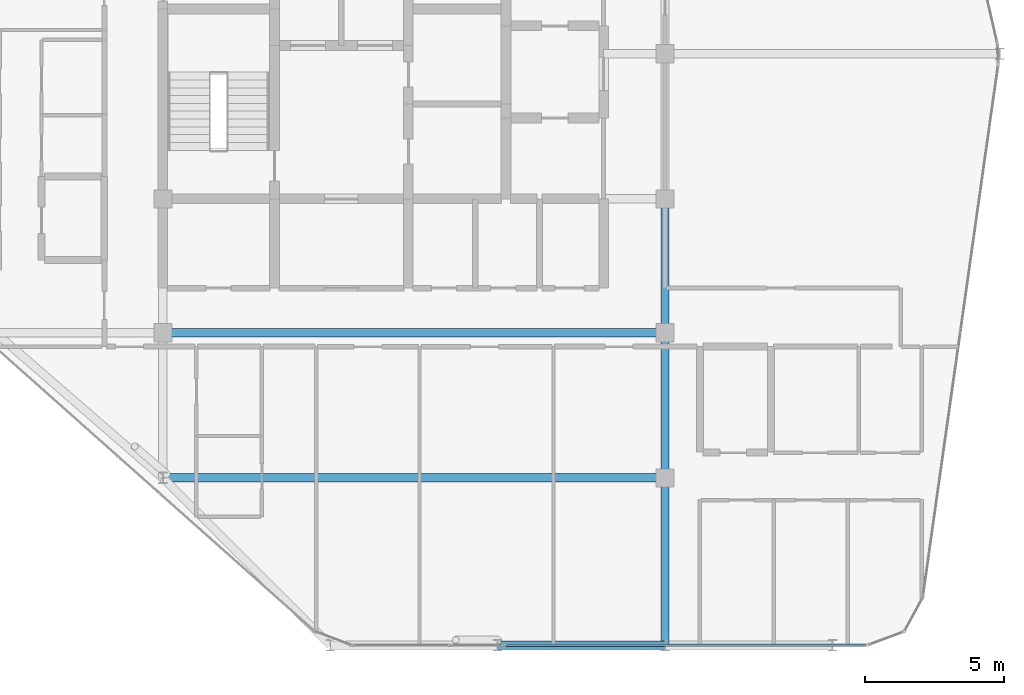
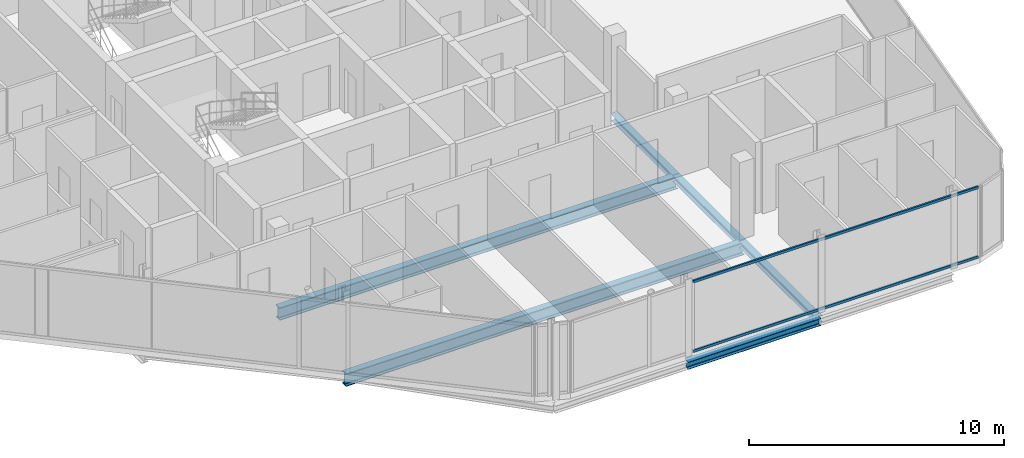
# One storey, part 7 of 27: 6 beams, 2 members, 1 element without a shape of its own.
"""IFC4 building model written with IfcOpenShell, lengths in metres."""

from ifc_helpers import new_model, si_unit, direction, frame, origin, origin_2d, place, context, subcontext, project, spatial, hollow_rectangle, i_section, extrude, material, layer, layer_set, material_profile, profile_set, type_object, element, aggregate, save


model = new_model("IFC4")

# Units and contexts
model_context = context("Model", 3, precision=1e-05, world=origin(), true_north=direction((0.0, 1.0)))
body_context = subcontext(model_context, "Body", "Model", "MODEL_VIEW")
ifc_project = project(units=[si_unit("LENGTHUNIT", "METRE"), si_unit("AREAUNIT", "SQUARE_METRE"), si_unit("VOLUMEUNIT", "CUBIC_METRE"), si_unit("PLANEANGLEUNIT", "RADIAN"), si_unit("MASSUNIT", "GRAM", prefix="KILO")], contexts=[model_context])

# Site, building, storey
site_placement = place(None, origin())
site = spatial("IfcSite", under=ifc_project, at=site_placement, CompositionType="ELEMENT")
building_placement = place(site_placement, origin())
building = spatial("IfcBuilding", under=site, at=building_placement, Name="Keshet Zoharim Tower", CompositionType="ELEMENT")
storey_placement = place(building_placement, frame((0.0, 0.0, 307.300048828125)))
storey = spatial("IfcBuildingStorey", under=building, at=storey_placement, Name="L77", CompositionType="ELEMENT", Elevation=307.300048828125)

# Beams
ifc_material_1 = material(Name="Steel S355", Category="steel")
ifc_material_profile_1 = material_profile(ifc_material_1, i_section(OverallWidth=0.300048828125, OverallDepth=0.60009765625, WebThickness=0.015380859375, FlangeThickness=0.030029296875, FilletRadius=0.027099609375, at=origin_2d()), Name="HEB600")
ifc_profile_set_1 = profile_set([ifc_material_profile_1], Name="Steel S355")
beam_type_1 = type_object("IfcBeamType", Name="BM-LNG-HB600", PredefinedType="BEAM", material=ifc_profile_set_1)
for number, where, z_axis, x_axis, name in (
    (1, (15.0, 12.699951171875, -0.610107421875), (1.0, 0.0, 0.0), (0.0, 1.0, 0.0), "L77 Primary Girder X-004"),
    (2, (15.0, 17.89990234375, -0.610107421875), (1.0, 0.0, 0.0), (0.0, 1.0, 0.0), "L77 Primary Girder X-006"),
):
    element("IfcBeam", number, at=place(storey_placement, frame(where, z_axis=z_axis, x_axis=x_axis)), inside=storey, type_object=beam_type_1, Name=name, PredefinedType="BEAM", context=body_context, shape_type="SweptSolid", body=[
        extrude(i_section(OverallWidth=0.300048828125, OverallDepth=0.60009765625, WebThickness=0.015380859375, FlangeThickness=0.030029296875, FilletRadius=0.027099609375, at=origin_2d()), origin(), (0.0, 0.0, 1.0), 18.0),
    ])
ifc_material_profile_2 = material_profile(ifc_material_1, i_section(OverallWidth=0.300048828125, OverallDepth=0.2900390625, WebThickness=0.008544921875, FlangeThickness=0.013916015625, FilletRadius=0.027099609375, at=origin_2d()), Name="HEA300")
ifc_profile_set_2 = profile_set([ifc_material_profile_2], Name="Steel S355")
beam_type_2 = type_object("IfcBeamType", Name="BM-PRI-HA300", PredefinedType="BEAM", material=ifc_profile_set_2)
beam_1_placement = place(storey_placement, frame((33.0, 6.699951171875, -0.455078125), z_axis=(0.0, 1.0, 0.0), x_axis=(-1.0, 0.0, 0.0)))
element("IfcBeam", 3, at=beam_1_placement, inside=storey, type_object=beam_type_2, Name="L77 Primary Girder Y-004", PredefinedType="BEAM", context=body_context, shape_type="SweptSolid", body=[
    extrude(i_section(OverallWidth=0.300048828125, OverallDepth=0.2900390625, WebThickness=0.008544921875, FlangeThickness=0.013916015625, FilletRadius=0.027099609375, at=origin_2d()), origin(), (0.0, 0.0, 1.0), 6.0),
])
beam_2_placement = place(storey_placement, frame((33.0, 12.699951171875, -0.455078125), z_axis=(0.0, 1.0, 0.0), x_axis=(-1.0, 0.0, 0.0)))
element("IfcBeam", 4, at=beam_2_placement, inside=storey, type_object=beam_type_2, Name="L77 Primary Girder Y-005", PredefinedType="BEAM", context=body_context, shape_type="SweptSolid", body=[
    extrude(i_section(OverallWidth=0.300048828125, OverallDepth=0.2900390625, WebThickness=0.008544921875, FlangeThickness=0.013916015625, FilletRadius=0.027099609375, at=origin_2d()), origin(), (0.0, 0.0, 1.0), 5.199951171875),
])
beam_3_placement = place(storey_placement, frame((33.0, 17.89990234375, -0.455078125), z_axis=(0.0, 1.0, 0.0), x_axis=(-1.0, 0.0, 0.0)))
element("IfcBeam", 5, at=beam_3_placement, inside=storey, type_object=beam_type_2, Name="L77 Primary Girder Y-006", PredefinedType="BEAM", context=body_context, shape_type="SweptSolid", body=[
    extrude(i_section(OverallWidth=0.300048828125, OverallDepth=0.2900390625, WebThickness=0.008544921875, FlangeThickness=0.013916015625, FilletRadius=0.027099609375, at=origin_2d()), origin(), (0.0, 0.0, 1.0), 4.800048828125),
])
ifc_material_profile_3 = material_profile(ifc_material_1, i_section(OverallWidth=0.300048828125, OverallDepth=0.35009765625, WebThickness=0.010009765625, FlangeThickness=0.017578125, FilletRadius=0.027099609375, at=origin_2d()), Name="HEA360")
ifc_profile_set_3 = profile_set([ifc_material_profile_3], Name="Steel S355")
beam_type_3 = type_object("IfcBeamType", Name="BM-PRI-HA360", PredefinedType="BEAM", material=ifc_profile_set_3)
beam_4_placement = place(storey_placement, frame((27.0, 6.699951171875, -0.485107421875), z_axis=(1.0, 0.0, 0.0), x_axis=(0.0, 1.0, 0.0)))
element("IfcBeam", 6, at=beam_4_placement, inside=storey, type_object=beam_type_3, Name="L77 Primary Girder X-002", PredefinedType="BEAM", context=body_context, shape_type="SweptSolid", body=[
    extrude(i_section(OverallWidth=0.300048828125, OverallDepth=0.35009765625, WebThickness=0.010009765625, FlangeThickness=0.017578125, FilletRadius=0.027099609375, at=origin_2d()), origin(), (0.0, 0.0, 1.0), 6.0),
])

# Curtain wall, members
ifc_material_2 = material(Name="Aluminium 6063-T6", Category="aluminium")
ifc_layer = layer(ifc_material_2, 0.260009765625)
ifc_layer_set = layer_set([ifc_layer], Name="Aluminium 6063-T6")
curtain_wall_type = type_object("IfcCurtainWallType", Name="CW-SYS-06", PredefinedType="NOTDEFINED", material=ifc_layer_set)
curtain_wall_placement = place(storey_placement, origin())
curtain_wall = element("IfcCurtainWall", 7, at=curtain_wall_placement, inside=storey, type_object=curtain_wall_type, Name="L77 Unitised Curtain Wall 14", PredefinedType="NOTDEFINED")
ifc_material_profile_4 = material_profile(ifc_material_2, hollow_rectangle(XDim=0.074951171875, YDim=0.1201171875, WallThickness=0.00390625, at=origin_2d()), Name="TRN-75x120")
ifc_profile_set_4 = profile_set([ifc_material_profile_4], Name="Aluminium 6063-T6")
member_type = type_object("IfcMemberType", Name="CWT-T12", PredefinedType="USERDEFINED", material=ifc_profile_set_4)
member_1_placement = place(storey_placement, frame((40.193115234375, 6.699951171875, 0.034912109375), z_axis=(-1.0, 0.0, 0.0), x_axis=(0.0, -1.0, 0.0)))
member_1 = element("IfcMember", 8, at=member_1_placement, type_object=member_type, Name="CW-06 transom 1.1", ObjectType="TRANSOM", PredefinedType="USERDEFINED", context=body_context, shape_type="SweptSolid", body=[
    extrude(hollow_rectangle(XDim=0.074951171875, YDim=0.1201171875, WallThickness=0.00390625, at=origin_2d()), origin(), (0.0, 0.0, 1.0), 12.898193359375),
])
member_2_placement = place(storey_placement, frame((40.193115234375, 6.699951171875, 3.35498046875), z_axis=(-1.0, 0.0, 0.0), x_axis=(0.0, -1.0, 0.0)))
member_2 = element("IfcMember", 9, at=member_2_placement, type_object=member_type, Name="CW-06 transom 1.2", ObjectType="TRANSOM", PredefinedType="USERDEFINED", context=body_context, shape_type="SweptSolid", body=[
    extrude(hollow_rectangle(XDim=0.074951171875, YDim=0.1201171875, WallThickness=0.00390625, at=origin_2d()), origin(), (0.0, 0.0, 1.0), 12.898193359375),
])
aggregate(curtain_wall, [member_1, member_2])

save(model, "model.ifc")
